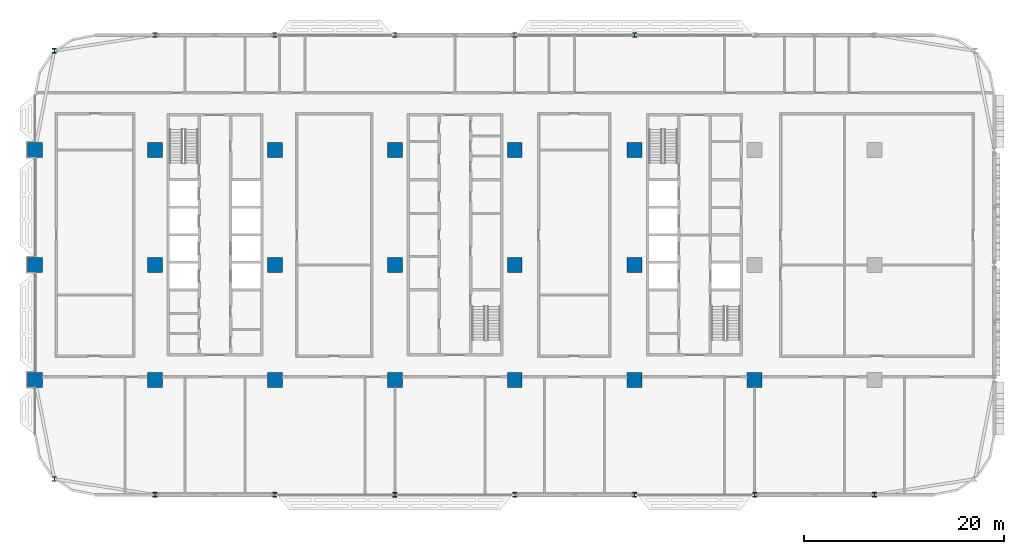
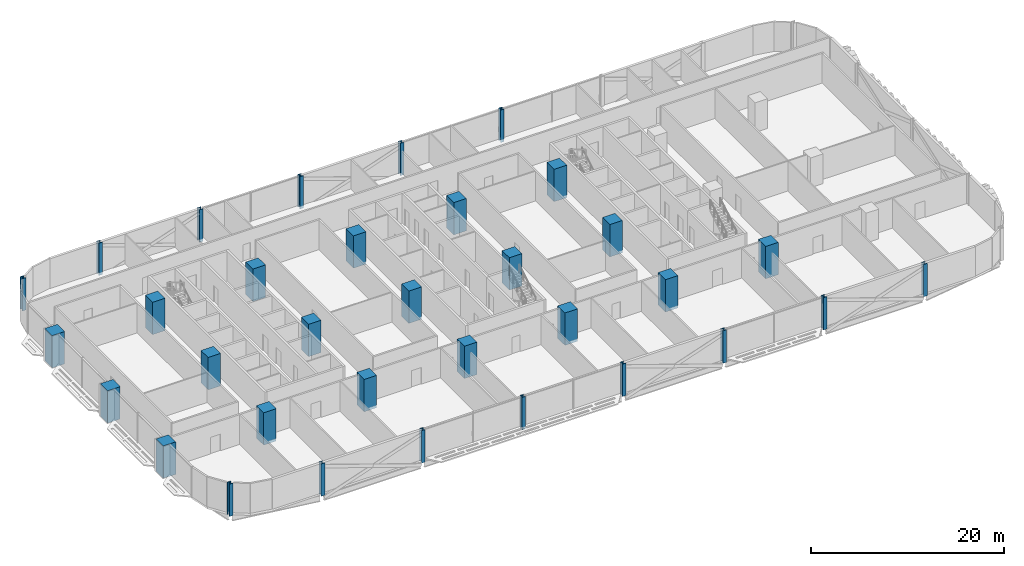
# One storey, part 1 of 29: 33 columns.
"""IFC4 building model written with IfcOpenShell, lengths in metres."""

from ifc_helpers import new_model, si_unit, direction, frame, origin, origin_2d, place, context, subcontext, project, spatial, rectangle, i_section, extrude, material, material_profile, profile_set, type_object, element, save


model = new_model("IFC4")

# Units and contexts
model_context = context("Model", 3, precision=1e-05, world=origin(), true_north=direction((0.0, 1.0)))
body_context = subcontext(model_context, "Body", "Model", "MODEL_VIEW")
ifc_project = project(units=[si_unit("LENGTHUNIT", "METRE"), si_unit("AREAUNIT", "SQUARE_METRE"), si_unit("VOLUMEUNIT", "CUBIC_METRE"), si_unit("PLANEANGLEUNIT", "RADIAN"), si_unit("MASSUNIT", "GRAM", prefix="KILO")], contexts=[model_context])

# Site, building, storey
site_placement = place(None, origin())
site = spatial("IfcSite", under=ifc_project, at=site_placement, CompositionType="ELEMENT")
building_placement = place(site_placement, origin())
building = spatial("IfcBuilding", under=site, at=building_placement, Name="Mahtab Terrace Research Tower", CompositionType="ELEMENT")
storey_placement = place(building_placement, frame((0.0, 0.0, 76.10009765625)))
storey = spatial("IfcBuildingStorey", under=building, at=storey_placement, Name="L17", CompositionType="ELEMENT", Elevation=76.10009765625)

# Columns
ifc_material_1 = material(Name="Concrete C70/85", Category="concrete")
ifc_material_profile_1 = material_profile(ifc_material_1, rectangle(XDim=1.5, YDim=1.5, at=origin_2d()), Name="RC column 1500x1500")
ifc_profile_set_1 = profile_set([ifc_material_profile_1], Name="Concrete C70/85")
column_type_1 = type_object("IfcColumnType", Name="RC column 1500x1500", PredefinedType="COLUMN", material=ifc_profile_set_1)
for number, where, z_axis, x_axis, name in (
    (1, (-42.0, -11.5, -0.340087890625), (0.0, 0.0, 1.0), (1.0, 0.0, 0.0), "Column RC-1A L17"),
    (2, (-42.0, 0.0, -0.340087890625), (0.0, 0.0, 1.0), (1.0, 0.0, 0.0), "Column RC-1B L17"),
    (3, (-42.0, 11.5, -0.340087890625), (0.0, 0.0, 1.0), (1.0, 0.0, 0.0), "Column RC-1C L17"),
    (4, (-30.0, -11.5, -0.340087890625), (0.0, 0.0, 1.0), (1.0, 0.0, 0.0), "Column RC-2A L17"),
    (5, (-30.0, 0.0, -0.340087890625), (0.0, 0.0, 1.0), (1.0, 0.0, 0.0), "Column RC-2B L17"),
    (6, (-30.0, 11.5, -0.340087890625), (0.0, 0.0, 1.0), (1.0, 0.0, 0.0), "Column RC-2C L17"),
    (7, (-18.0, -11.5, -0.340087890625), (0.0, 0.0, 1.0), (1.0, 0.0, 0.0), "Column RC-3A L17"),
    (8, (-18.0, 0.0, -0.340087890625), (0.0, 0.0, 1.0), (1.0, 0.0, 0.0), "Column RC-3B L17"),
    (9, (-18.0, 11.5, -0.340087890625), (0.0, 0.0, 1.0), (1.0, 0.0, 0.0), "Column RC-3C L17"),
    (10, (-6.0, -11.5, -0.340087890625), (0.0, 0.0, 1.0), (1.0, 0.0, 0.0), "Column RC-4A L17"),
    (11, (-6.0, 0.0, -0.340087890625), (0.0, 0.0, 1.0), (1.0, 0.0, 0.0), "Column RC-4B L17"),
    (12, (-6.0, 11.5, -0.340087890625), (0.0, 0.0, 1.0), (1.0, 0.0, 0.0), "Column RC-4C L17"),
    (13, (6.0, -11.5, -0.340087890625), (0.0, 0.0, 1.0), (1.0, 0.0, 0.0), "Column RC-5A L17"),
    (14, (6.0, 0.0, -0.340087890625), (0.0, 0.0, 1.0), (1.0, 0.0, 0.0), "Column RC-5B L17"),
    (15, (6.0, 11.5, -0.340087890625), (0.0, 0.0, 1.0), (1.0, 0.0, 0.0), "Column RC-5C L17"),
    (16, (18.0, -11.5, -0.340087890625), (0.0, 0.0, 1.0), (1.0, 0.0, 0.0), "Column RC-6A L17"),
    (17, (18.0, 0.0, -0.340087890625), (0.0, 0.0, 1.0), (1.0, 0.0, 0.0), "Column RC-6B L17"),
    (18, (18.0, 11.5, -0.340087890625), (0.0, 0.0, 1.0), (1.0, 0.0, 0.0), "Column RC-6C L17"),
    (19, (30.0, -11.5, -0.340087890625), (0.0, 0.0, 1.0), (1.0, 0.0, 0.0), "Column RC-7A L17"),
):
    element("IfcColumn", number, at=place(storey_placement, frame(where, z_axis=z_axis, x_axis=x_axis)), inside=storey, type_object=column_type_1, Name=name, PredefinedType="COLUMN", context=body_context, shape_type="SweptSolid", body=[
        extrude(rectangle(XDim=1.5, YDim=1.5, at=origin_2d()), origin(), (0.0, 0.0, 1.0), 4.090087890625),
    ])
ifc_material_2 = material(Name="Steel ASTM A992 Gr 50", Category="steel")
ifc_material_profile_2 = material_profile(ifc_material_2, i_section(OverallWidth=0.42431640625, OverallDepth=0.47509765625, WebThickness=0.0478515625, FlangeThickness=0.0771484375, at=origin_2d()), Name="W14X426")
ifc_profile_set_2 = profile_set([ifc_material_profile_2], Name="Steel ASTM A992 Gr 50")
column_type_2 = type_object("IfcColumnType", Name="W14x426 column CS14426", PredefinedType="COLUMN", material=ifc_profile_set_2)
for number, where, z_axis, x_axis, name in (
    (20, (18.0, 23.0, -0.340087890625), (0.0, 0.0, 1.0), (1.0, 0.0, 0.0), "Column SC-003 L17"),
    (21, (6.0, 23.0, -0.340087890625), (0.0, 0.0, 1.0), (1.0, 0.0, 0.0), "Column SC-004 L17"),
    (22, (-6.0, 23.0, -0.340087890625), (0.0, 0.0, 1.0), (1.0, 0.0, 0.0), "Column SC-005 L17"),
    (23, (-18.0, 23.0, -0.340087890625), (0.0, 0.0, 1.0), (1.0, 0.0, 0.0), "Column SC-006 L17"),
    (24, (-30.0, 23.0, -0.340087890625), (0.0, 0.0, 1.0), (1.0, 0.0, 0.0), "Column SC-007 L17"),
    (25, (-40.06201171875, 21.416015625, -0.340087890625), (0.0, 0.0, 1.0), (1.0, 0.0, 0.0), "Column SC-024 L17"),
    (26, (-40.06201171875, -21.416015625, -0.340087890625), (0.0, 0.0, 1.0), (1.0, 0.0, 0.0), "Column SC-025 L17"),
    (27, (-30.0, -23.0, -0.340087890625), (0.0, 0.0, 1.0), (1.0, 0.0, 0.0), "Column SC-013 L17"),
    (28, (-18.0, -23.0, -0.340087890625), (0.0, 0.0, 1.0), (1.0, 0.0, 0.0), "Column SC-014 L17"),
    (29, (-6.0, -23.0, -0.340087890625), (0.0, 0.0, 1.0), (1.0, 0.0, 0.0), "Column SC-015 L17"),
    (30, (6.0, -23.0, -0.340087890625), (0.0, 0.0, 1.0), (1.0, 0.0, 0.0), "Column SC-016 L17"),
    (31, (18.0, -23.0, -0.340087890625), (0.0, 0.0, 1.0), (1.0, 0.0, 0.0), "Column SC-017 L17"),
    (32, (30.0, -23.0, -0.340087890625), (0.0, 0.0, 1.0), (1.0, 0.0, 0.0), "Column SC-018 L17"),
    (33, (42.0, -23.0, -0.340087890625), (0.0, 0.0, 1.0), (1.0, 0.0, 0.0), "Column SC-019 L17"),
):
    element("IfcColumn", number, at=place(storey_placement, frame(where, z_axis=z_axis, x_axis=x_axis)), inside=storey, type_object=column_type_2, Name=name, PredefinedType="COLUMN", context=body_context, shape_type="SweptSolid", body=[
        extrude(i_section(OverallWidth=0.42431640625, OverallDepth=0.47509765625, WebThickness=0.0478515625, FlangeThickness=0.0771484375, at=origin_2d()), origin(), (0.0, 0.0, 1.0), 4.090087890625),
    ])

save(model, "model.ifc")
